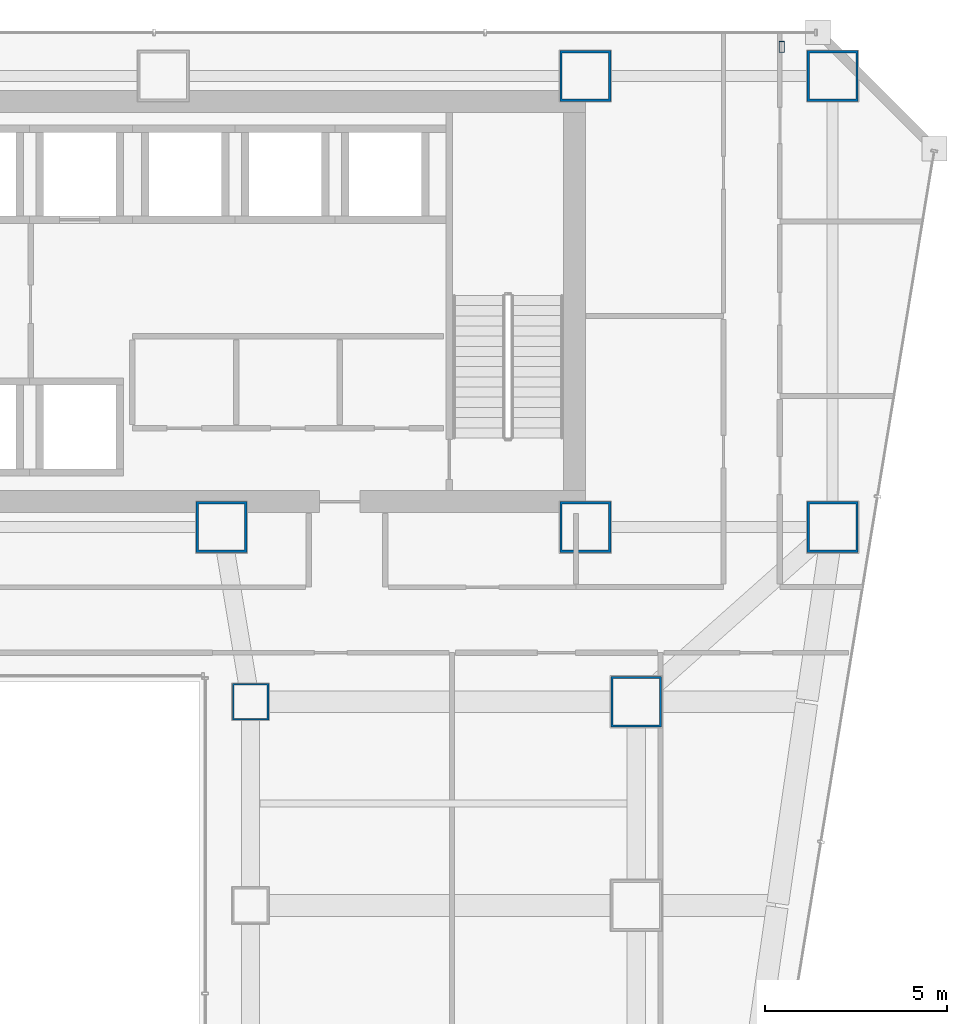
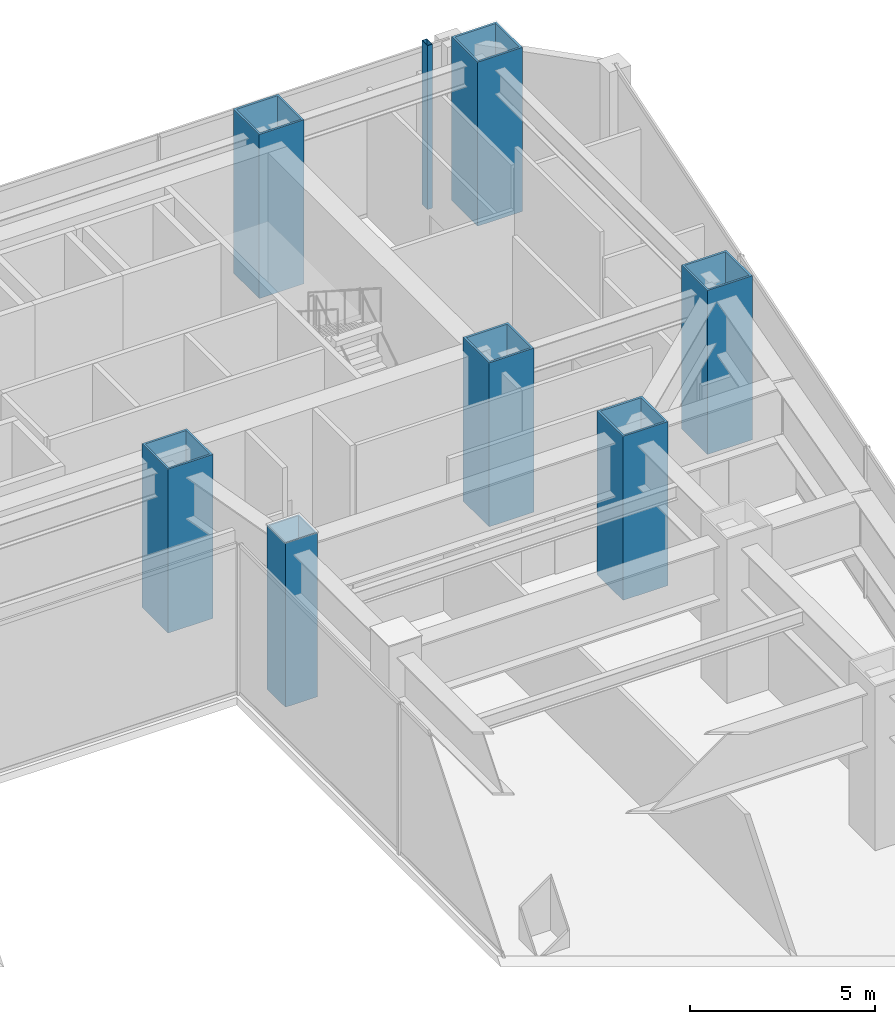
# One storey, part 3 of 42: 8 columns.
"""IFC4 building model written with IfcOpenShell, lengths in metres."""

from ifc_helpers import new_model, si_unit, direction, frame, origin, origin_2d, place, context, subcontext, project, spatial, hollow_rectangle, extrude, material, material_profile, profile_set, type_object, element, save


model = new_model("IFC4")

# Units and contexts
model_context = context("Model", 3, precision=1e-05, world=origin(), true_north=direction((0.0, 1.0)))
body_context = subcontext(model_context, "Body", "Model", "MODEL_VIEW")
ifc_project = project(units=[si_unit("LENGTHUNIT", "METRE"), si_unit("AREAUNIT", "SQUARE_METRE"), si_unit("VOLUMEUNIT", "CUBIC_METRE"), si_unit("PLANEANGLEUNIT", "RADIAN"), si_unit("MASSUNIT", "GRAM", prefix="KILO")], contexts=[model_context])

# Site, building, storey
site_placement = place(None, origin())
site = spatial("IfcSite", under=ifc_project, at=site_placement, CompositionType="ELEMENT")
building_placement = place(site_placement, origin())
building = spatial("IfcBuilding", under=site, at=building_placement, Name="Saevonmaru Cultural Tower", CompositionType="ELEMENT")
storey_placement = place(building_placement, frame((0.0, 0.0, 33.0)))
storey = spatial("IfcBuildingStorey", under=building, at=storey_placement, Name="L06", CompositionType="ELEMENT", Elevation=33.0)

# Columns
ifc_material_1 = material(Name="Steel SM420", Category="steel")
ifc_material_profile_1 = material_profile(ifc_material_1, hollow_rectangle(XDim=1.0, YDim=1.0, WallThickness=0.044921875, at=origin_2d()), Name="BOX-1000x1000x45")
ifc_profile_set_1 = profile_set([ifc_material_profile_1], Name="Steel SM420")
column_type_1 = type_object("IfcColumnType", Name="COL-BOX-1000", PredefinedType="COLUMN", material=ifc_profile_set_1)
column_1_placement = place(storey_placement, frame((37.199951171875, 37.60009765625, 0.0), z_axis=(0.0, 0.0, 1.0), x_axis=(1.0, 0.0, 0.0)))
element("IfcColumn", 1, at=column_1_placement, inside=storey, type_object=column_type_1, Name="L06 Column PC-E2-F", PredefinedType="COLUMN", context=body_context, shape_type="SweptSolid", body=[
    extrude(hollow_rectangle(XDim=1.0, YDim=1.0, WallThickness=0.044921875, at=origin_2d()), origin(), (0.0, 0.0, 1.0), 5.39990234375),
])
ifc_material_2 = material(Name="Steel HSA600 (600 MPa)", Category="steel")
ifc_material_profile_2 = material_profile(ifc_material_2, hollow_rectangle(XDim=1.39990234375, YDim=1.39990234375, WallThickness=0.06494140625, at=origin_2d()), Name="BOX-1400x1400x65")
ifc_profile_set_2 = profile_set([ifc_material_profile_2], Name="Steel HSA600 (600 MPa)")
column_type_2 = type_object("IfcColumnType", Name="COL-BOX-1400", PredefinedType="COLUMN", material=ifc_profile_set_2)
for number, where, z_axis, x_axis, name in (
    (2, (46.39990234375, 54.800048828125, 0.0), (0.0, 0.0, 1.0), (1.0, 0.0, 0.0), "L06 Column TC-N5N"),
    (3, (53.199951171875, 54.800048828125, 0.0), (0.0, 0.0, 1.0), (1.0, 0.0, 0.0), "L06 Column TC-N6N"),
    (4, (36.39990234375, 42.39990234375, 0.0), (0.0, 0.0, 1.0), (1.0, 0.0, 0.0), "L06 Column TC-S4C"),
    (5, (46.39990234375, 42.39990234375, 0.0), (0.0, 0.0, 1.0), (1.0, 0.0, 0.0), "L06 Column TC-S5C"),
    (6, (53.199951171875, 42.39990234375, 0.0), (0.0, 0.0, 1.0), (1.0, 0.0, 0.0), "L06 Column TC-S6C"),
    (7, (47.800048828125, 37.60009765625, 0.0), (0.0, 0.0, 1.0), (1.0, 0.0, 0.0), "L06 Column PC-E1-F"),
):
    element("IfcColumn", number, at=place(storey_placement, frame(where, z_axis=z_axis, x_axis=x_axis)), inside=storey, type_object=column_type_2, Name=name, PredefinedType="COLUMN", context=body_context, shape_type="SweptSolid", body=[
        extrude(hollow_rectangle(XDim=1.39990234375, YDim=1.39990234375, WallThickness=0.06494140625, at=origin_2d()), origin(), (0.0, 0.0, 1.0), 5.39990234375),
    ])
ifc_material_3 = material(Name="Steel SM355", Category="steel")
ifc_material_profile_3 = material_profile(ifc_material_3, hollow_rectangle(XDim=0.14990234375, YDim=0.300048828125, WallThickness=0.010009765625, at=origin_2d()), Name="RHS-300x150x10")
ifc_profile_set_3 = profile_set([ifc_material_profile_3], Name="Steel SM355")
column_type_3 = type_object("IfcColumnType", Name="PIL-RHS-300", PredefinedType="PILASTER", material=ifc_profile_set_3)
column_2_placement = place(storey_placement, frame((51.800048828125, 55.60009765625, 0.0), z_axis=(0.0, 0.0, 1.0), x_axis=(1.0, 0.0, 0.0)))
element("IfcColumn", 8, at=column_2_placement, inside=storey, type_object=column_type_3, Name="L06 Art Deco Bronze-Clad Pilaster PIL-NE", PredefinedType="PILASTER", context=body_context, shape_type="SweptSolid", body=[
    extrude(hollow_rectangle(XDim=0.14990234375, YDim=0.300048828125, WallThickness=0.010009765625, at=origin_2d()), origin(), (0.0, 0.0, 1.0), 5.39990234375),
])

save(model, "model.ifc")
